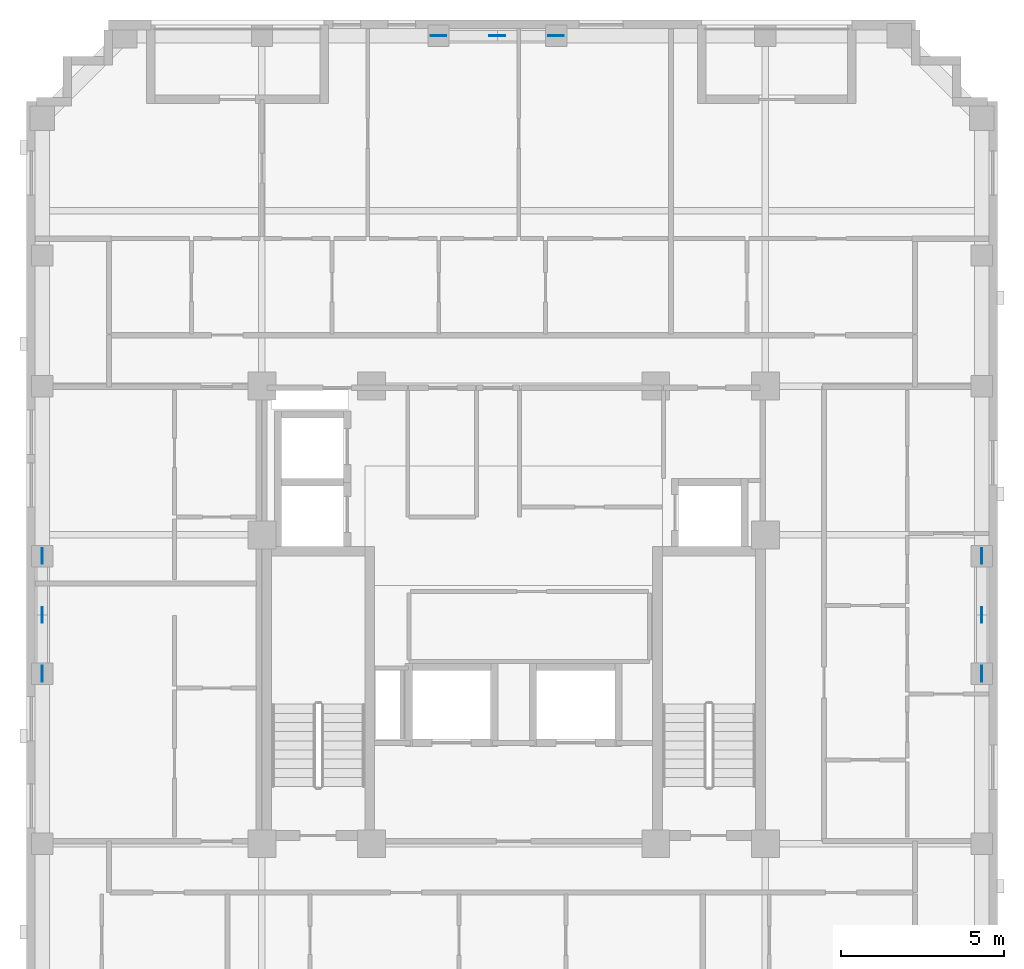
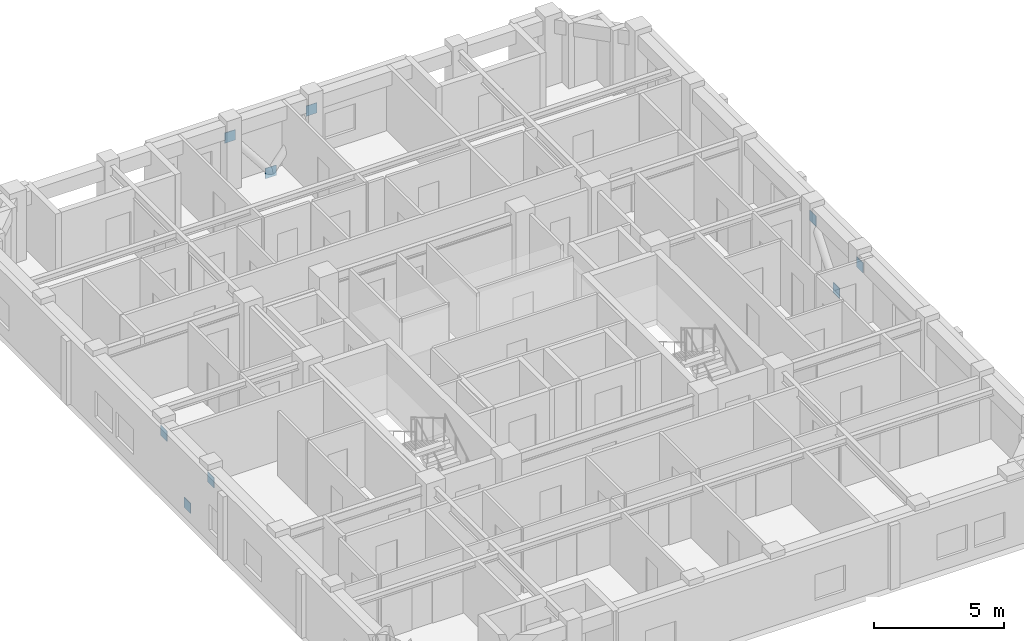
# One storey, part 8 of 10: 9 discrete accessories.
"""IFC4 building model written with IfcOpenShell, lengths in metres."""

from ifc_helpers import new_model, si_unit, derived_unit, direction, frame, origin, origin_2d, place, context, subcontext, project, spatial, rectangle, extrude, material, layer, layer_set, type_object, element, save


model = new_model("IFC4")

# Units and contexts
model_context = context("Model", 3, precision=1e-05, world=origin(), true_north=direction((0.0, 1.0)))
body_context = subcontext(model_context, "Body", "Model", "MODEL_VIEW")
ifc_project = project(units=[si_unit("LENGTHUNIT", "METRE"), si_unit("AREAUNIT", "SQUARE_METRE"), si_unit("VOLUMEUNIT", "CUBIC_METRE"), si_unit("PLANEANGLEUNIT", "RADIAN"), si_unit("MASSUNIT", "GRAM", prefix="KILO"), derived_unit("THERMALTRANSMITTANCEUNIT", [(si_unit("MASSUNIT", "GRAM", prefix="KILO"), 1), (si_unit("TIMEUNIT", "SECOND"), -3), (si_unit("THERMODYNAMICTEMPERATUREUNIT", "KELVIN"), -1)])], contexts=[model_context])

# Site, building, storey
site_placement = place(None, origin())
site = spatial("IfcSite", under=ifc_project, at=site_placement, CompositionType="ELEMENT")
building_placement = place(site_placement, origin())
building = spatial("IfcBuilding", under=site, at=building_placement, Name="Korrvale Station Residences", CompositionType="ELEMENT")
storey_placement = place(building_placement, frame((0.0, 0.0, 204.10009765625)))
storey = spatial("IfcBuildingStorey", under=building, at=storey_placement, Name="L59", CompositionType="ELEMENT", Elevation=204.10009765625)

# Discrete accessories
ifc_material = material(Name="Steel S355", Category="steel")
ifc_layer = layer(ifc_material, 0.02490234375, Name="Steel S355")
ifc_layer_set = layer_set([ifc_layer], Name="Steel S355")
discrete_accessory_type = type_object("IfcDiscreteAccessoryType", Name="ACC-GUSSET-25", PredefinedType="BRACKET", material=ifc_layer_set)
for number, where, z_axis, x_axis, name in (
    (1, (25.0, 39.719970703125, -0.219970703125), (0.0, 0.0, 1.0), (1.0, 0.0, 0.0), "L59 N Brace End Gusset Connection M"),
    (2, (23.199951171875, 39.719970703125, 2.06982421875), (0.0, 0.0, 1.0), (1.0, 0.0, 0.0), "L59 N Brace End Gusset Connection A"),
    (3, (26.800048828125, 39.719970703125, 2.06982421875), (0.0, 0.0, 1.0), (1.0, 0.0, 0.0), "L59 N Brace End Gusset Connection B"),
    (4, (11.080078125, 22.0, -0.219970703125), (0.0, 0.0, 1.0), (0.0, 1.0, 0.0), "L59 W Brace End Gusset Connection M"),
    (5, (11.080078125, 20.199951171875, 2.06982421875), (0.0, 0.0, 1.0), (0.0, 1.0, 0.0), "L59 W Brace End Gusset Connection A"),
    (6, (11.080078125, 23.800048828125, 2.06982421875), (0.0, 0.0, 1.0), (0.0, 1.0, 0.0), "L59 W Brace End Gusset Connection B"),
    (7, (39.820068359375, 22.0, -0.219970703125), (0.0, 0.0, 1.0), (0.0, 1.0, 0.0), "L59 E Brace End Gusset Connection M"),
    (8, (39.820068359375, 20.199951171875, 2.06982421875), (0.0, 0.0, 1.0), (0.0, 1.0, 0.0), "L59 E Brace End Gusset Connection A"),
    (9, (39.820068359375, 23.800048828125, 2.06982421875), (0.0, 0.0, 1.0), (0.0, 1.0, 0.0), "L59 E Brace End Gusset Connection B"),
):
    element("IfcDiscreteAccessory", number, at=place(storey_placement, frame(where, z_axis=z_axis, x_axis=x_axis)), inside=storey, type_object=discrete_accessory_type, Name=name, PredefinedType="BRACKET", context=body_context, shape_type="SweptSolid", body=[
        extrude(rectangle(XDim=0.47998046875, YDim=0.02490234375, at=origin_2d()), origin(), (0.0, 0.0, 1.0), 0.47998046875),
    ])

save(model, "model.ifc")
